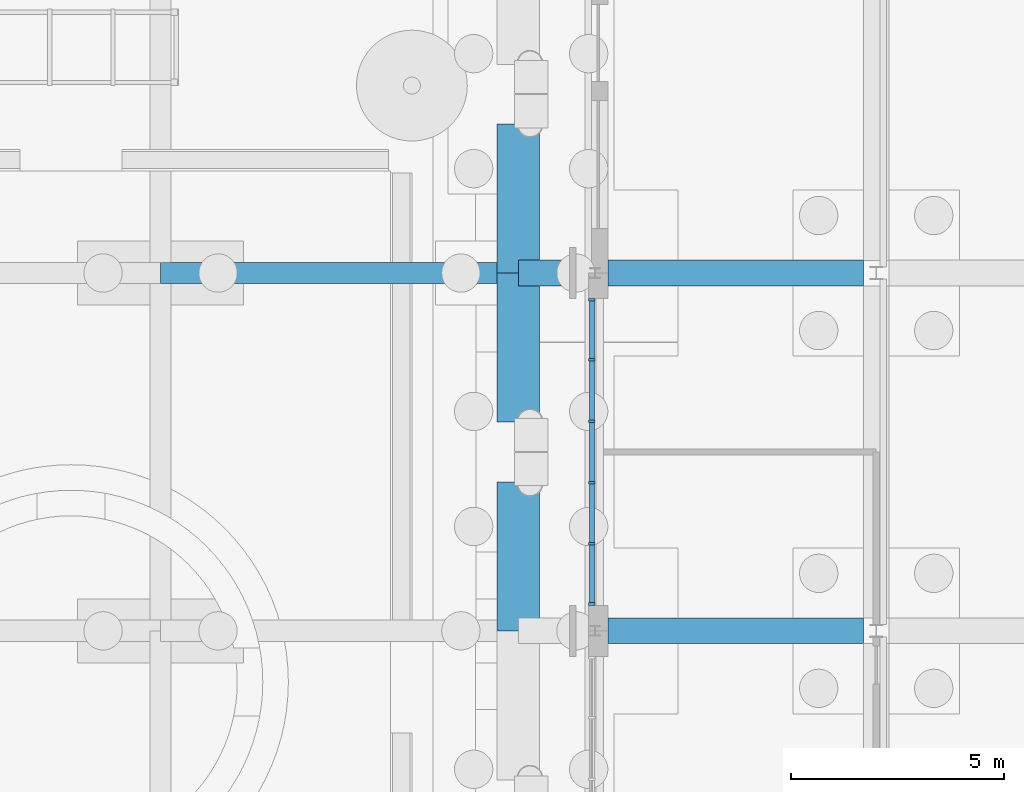
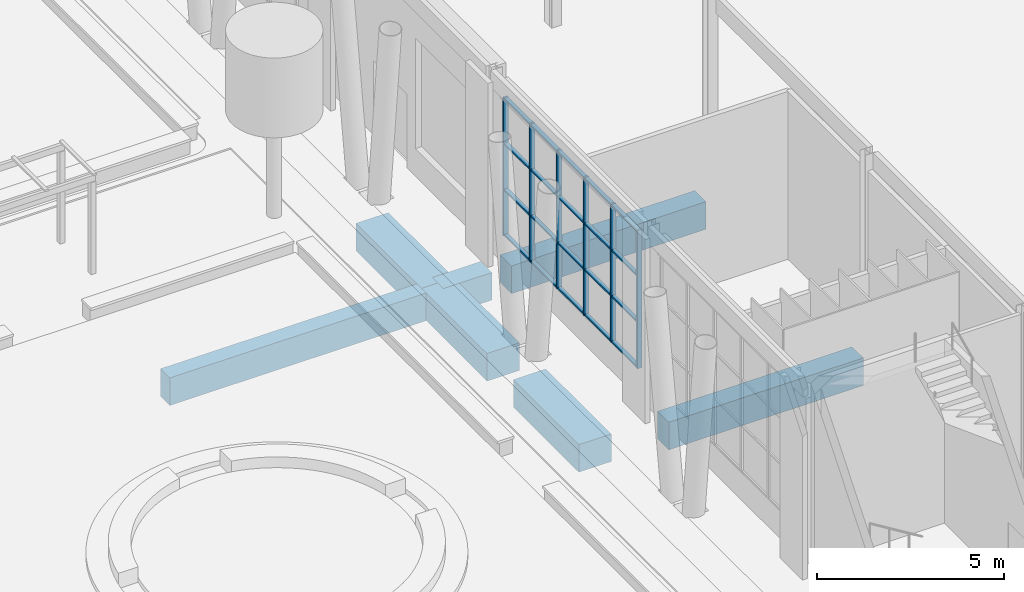
# One storey, part 45 of 222: 26 members, 7 beams, 1 element without a shape of its own.
"""IFC4 building model written with IfcOpenShell, lengths in metres."""

from ifc_helpers import new_model, si_unit, direction, frame, origin, origin_2d, place, context, subcontext, project, spatial, rectangle, extrude, material, material_profile, profile_set, type_object, element, aggregate, save


model = new_model("IFC4")

# Units and contexts
model_context = context("Model", 3, precision=1e-05, world=origin(), true_north=direction((0.0, 1.0)))
body_context = subcontext(model_context, "Body", "Model", "MODEL_VIEW")
ifc_project = project(units=[si_unit("LENGTHUNIT", "METRE"), si_unit("AREAUNIT", "SQUARE_METRE"), si_unit("VOLUMEUNIT", "CUBIC_METRE"), si_unit("PLANEANGLEUNIT", "RADIAN"), si_unit("MASSUNIT", "GRAM", prefix="KILO")], contexts=[model_context])

# Site, building, storey
site_placement = place(None, origin())
site = spatial("IfcSite", under=ifc_project, at=site_placement, CompositionType="ELEMENT")
building_placement = place(site_placement, origin())
building = spatial("IfcBuilding", under=site, at=building_placement, Name="Sava Quay Ferry Terminal", CompositionType="ELEMENT")
storey_placement = place(building_placement, origin())
storey = spatial("IfcBuildingStorey", under=building, at=storey_placement, Name="L00", CompositionType="ELEMENT", Elevation=0.0)

# Curtain wall, members
ifc_material_1 = material(Name="Aluminium and glass curtain wall, double low-e glazed", Category="aluminium")
curtain_wall_type = type_object("IfcCurtainWallType", Name="Curtain wall CW-F flank", PredefinedType="NOTDEFINED", material=ifc_material_1)
curtain_wall_placement = place(storey_placement, origin())
curtain_wall = element("IfcCurtainWall", 1, at=curtain_wall_placement, inside=storey, type_object=curtain_wall_type, Name="Curtain wall D-W L00 bay 3", PredefinedType="NOTDEFINED")
ifc_material_2 = material(Name="Aluminium EN AW-6063 T6", Category="aluminium")
ifc_material_profile_1 = material_profile(ifc_material_2, rectangle(XDim=0.14990234375, YDim=0.06005859375, at=origin_2d()), Name="Mullion 60x150 aluminium")
ifc_profile_set_1 = profile_set([ifc_material_profile_1], Name="Aluminium EN AW-6063 T6")
member_type_1 = type_object("IfcMemberType", Name="Mullion 60x150 aluminium", PredefinedType="MULLION", material=ifc_profile_set_1)
member_1_placement = place(storey_placement, frame((43.72509765625, 67.830078125, 0.89990234375), z_axis=(0.0, 0.0, 1.0), x_axis=(-1.0, 0.0, 0.0)))
member_1 = element("IfcMember", 2, at=member_1_placement, type_object=member_type_1, Name="CW103 mullion 1", PredefinedType="MULLION", context=body_context, shape_type="SweptSolid", body=[
    extrude(rectangle(XDim=0.14990234375, YDim=0.06005859375, at=origin_2d()), origin(), (0.0, 0.0, 1.0), 4.5),
])
member_2_placement = place(storey_placement, frame((43.72509765625, 69.239990234375, 0.89990234375), z_axis=(0.0, 0.0, 1.0), x_axis=(-1.0, 0.0, 0.0)))
member_2 = element("IfcMember", 3, at=member_2_placement, type_object=member_type_1, Name="CW103 mullion 2", PredefinedType="MULLION", context=body_context, shape_type="SweptSolid", body=[
    extrude(rectangle(XDim=0.14990234375, YDim=0.06005859375, at=origin_2d()), origin(), (0.0, 0.0, 1.0), 4.5),
])
member_3_placement = place(storey_placement, frame((43.72509765625, 70.679931640625, 0.89990234375), z_axis=(0.0, 0.0, 1.0), x_axis=(-1.0, 0.0, 0.0)))
member_3 = element("IfcMember", 4, at=member_3_placement, type_object=member_type_1, Name="CW103 mullion 3", PredefinedType="MULLION", context=body_context, shape_type="SweptSolid", body=[
    extrude(rectangle(XDim=0.14990234375, YDim=0.06005859375, at=origin_2d()), origin(), (0.0, 0.0, 1.0), 4.5),
])
member_4_placement = place(storey_placement, frame((43.72509765625, 72.1201171875, 0.89990234375), z_axis=(0.0, 0.0, 1.0), x_axis=(-1.0, 0.0, 0.0)))
member_4 = element("IfcMember", 5, at=member_4_placement, type_object=member_type_1, Name="CW103 mullion 4", PredefinedType="MULLION", context=body_context, shape_type="SweptSolid", body=[
    extrude(rectangle(XDim=0.14990234375, YDim=0.06005859375, at=origin_2d()), origin(), (0.0, 0.0, 1.0), 4.5),
])
member_5_placement = place(storey_placement, frame((43.72509765625, 73.56005859375, 0.89990234375), z_axis=(0.0, 0.0, 1.0), x_axis=(-1.0, 0.0, 0.0)))
member_5 = element("IfcMember", 6, at=member_5_placement, type_object=member_type_1, Name="CW103 mullion 5", PredefinedType="MULLION", context=body_context, shape_type="SweptSolid", body=[
    extrude(rectangle(XDim=0.14990234375, YDim=0.06005859375, at=origin_2d()), origin(), (0.0, 0.0, 1.0), 4.5),
])
member_6_placement = place(storey_placement, frame((43.72509765625, 74.969970703125, 0.89990234375), z_axis=(0.0, 0.0, 1.0), x_axis=(-1.0, 0.0, 0.0)))
member_6 = element("IfcMember", 7, at=member_6_placement, type_object=member_type_1, Name="CW103 mullion 6", PredefinedType="MULLION", context=body_context, shape_type="SweptSolid", body=[
    extrude(rectangle(XDim=0.14990234375, YDim=0.06005859375, at=origin_2d()), origin(), (0.0, 0.0, 1.0), 4.5),
])

# Beams
ifc_material_3 = material(Name="Concrete C40/50", Category="concrete")
ifc_material_profile_2 = material_profile(ifc_material_3, rectangle(XDim=1.0, YDim=0.89990234375, at=origin_2d()), Name="RC 1000x900")
ifc_profile_set_2 = profile_set([ifc_material_profile_2], Name="Concrete C40/50")
beam_type_1 = type_object("IfcBeamType", Name="RC deck beam 1000x900", PredefinedType="BEAM", material=ifc_profile_set_2)
for number, where, z_axis, x_axis, name in (
    (8, (42.0, 67.199951171875, -0.89990234375), (0.0, 1.0, 0.0), (-1.0, 0.0, 0.0), "Deck beam Y42-67.2"),
    (9, (42.0, 72.10009765625, -0.89990234375), (0.0, 1.0, 0.0), (-1.0, 0.0, 0.0), "Deck beam Y42-67.2"),
    (10, (42.0, 75.60009765625, -0.89990234375), (0.0, 1.0, 0.0), (-1.0, 0.0, 0.0), "Deck beam Y42-75.6"),
):
    element("IfcBeam", number, at=place(storey_placement, frame(where, z_axis=z_axis, x_axis=x_axis)), inside=storey, type_object=beam_type_1, Name=name, PredefinedType="BEAM", context=body_context, shape_type="SweptSolid", body=[
        extrude(rectangle(XDim=1.0, YDim=0.89990234375, at=origin_2d()), origin(), (0.0, 0.0, 1.0), 3.5),
    ])
ifc_material_4 = material(Name="Concrete C40/50", Category="concrete")
ifc_material_profile_3 = material_profile(ifc_material_4, rectangle(XDim=0.5, YDim=0.89990234375, at=origin_2d()), Name="RC 500x900")
ifc_profile_set_3 = profile_set([ifc_material_profile_3], Name="Concrete C40/50")
beam_type_2 = type_object("IfcBeamType", Name="RC deck beam 500x900", PredefinedType="BEAM", material=ifc_profile_set_3)
beam_1_placement = place(storey_placement, frame((33.60009765625, 75.60009765625, -0.89990234375), z_axis=(1.0, 0.0, 0.0), x_axis=(0.0, 1.0, 0.0)))
element("IfcBeam", 11, at=beam_1_placement, inside=storey, type_object=beam_type_2, Name="Deck beam X75.6-33.6", PredefinedType="BEAM", context=body_context, shape_type="SweptSolid", body=[
    extrude(rectangle(XDim=0.5, YDim=0.89990234375, at=origin_2d()), origin(), (0.0, 0.0, 1.0), 8.39990234375),
])
ifc_material_5 = material(Name="Concrete C40/50", Category="concrete")
ifc_material_profile_4 = material_profile(ifc_material_5, rectangle(XDim=0.60009765625, YDim=0.89990234375, at=origin_2d()), Name="RC 600x900")
ifc_profile_set_4 = profile_set([ifc_material_profile_4], Name="Concrete C40/50")
beam_type_3 = type_object("IfcBeamType", Name="RC deck beam 600x900", PredefinedType="BEAM", material=ifc_profile_set_4)
beam_2_placement = place(storey_placement, frame((44.10009765625, 67.199951171875, -0.89990234375), z_axis=(1.0, 0.0, 0.0), x_axis=(0.0, 1.0, 0.0)))
element("IfcBeam", 12, at=beam_2_placement, inside=storey, type_object=beam_type_3, Name="Deck beam X67.2-42", PredefinedType="BEAM", context=body_context, shape_type="SweptSolid", body=[
    extrude(rectangle(XDim=0.60009765625, YDim=0.89990234375, at=origin_2d()), origin(), (0.0, 0.0, 1.0), 6.0),
])
beam_3_placement = place(storey_placement, frame((42.0, 75.60009765625, -0.89990234375), z_axis=(1.0, 0.0, 0.0), x_axis=(0.0, 1.0, 0.0)))
element("IfcBeam", 13, at=beam_3_placement, inside=storey, type_object=beam_type_3, Name="Deck beam X75.6-42", PredefinedType="BEAM", context=body_context, shape_type="SweptSolid", body=[
    extrude(rectangle(XDim=0.60009765625, YDim=0.89990234375, at=origin_2d()), origin(), (0.0, 0.0, 1.0), 1.5),
])
beam_4_placement = place(storey_placement, frame((44.10009765625, 75.60009765625, -0.89990234375), z_axis=(1.0, 0.0, 0.0), x_axis=(0.0, 1.0, 0.0)))
element("IfcBeam", 14, at=beam_4_placement, inside=storey, type_object=beam_type_3, Name="Deck beam X75.6-42", PredefinedType="BEAM", context=body_context, shape_type="SweptSolid", body=[
    extrude(rectangle(XDim=0.60009765625, YDim=0.89990234375, at=origin_2d()), origin(), (0.0, 0.0, 1.0), 6.0),
])

# Member
ifc_material_6 = material(Name="Aluminium EN AW-6063 T6", Category="aluminium")
ifc_material_profile_5 = material_profile(ifc_material_6, rectangle(XDim=0.1201171875, YDim=0.050048828125, at=origin_2d()), Name="Transom 50x120 aluminium")
ifc_profile_set_5 = profile_set([ifc_material_profile_5], Name="Aluminium EN AW-6063 T6")
member_type_2 = type_object("IfcMemberType", Name="Transom 50x120 aluminium", PredefinedType="USERDEFINED", material=ifc_profile_set_5)
member_7_placement = place(storey_placement, frame((43.72509765625, 67.860107421875, 0.925048828125), z_axis=(0.0, 1.0, 0.0), x_axis=(-1.0, 0.0, 0.0)))
member_7 = element("IfcMember", 15, at=member_7_placement, type_object=member_type_2, Name="CW103 transom 1.1", ObjectType="TRANSOM", PredefinedType="USERDEFINED", context=body_context, shape_type="SweptSolid", body=[
    extrude(rectangle(XDim=0.1201171875, YDim=0.050048828125, at=origin_2d()), origin(), (0.0, 0.0, 1.0), 1.349853515625),
])

member_8_placement = place(storey_placement, frame((43.72509765625, 67.860107421875, 2.39990234375), z_axis=(0.0, 1.0, 0.0), x_axis=(-1.0, 0.0, 0.0)))
member_8 = element("IfcMember", 16, at=member_8_placement, type_object=member_type_2, Name="CW103 transom 1.2", ObjectType="TRANSOM", PredefinedType="USERDEFINED", context=body_context, shape_type="SweptSolid", body=[
    extrude(rectangle(XDim=0.1201171875, YDim=0.050048828125, at=origin_2d()), origin(), (0.0, 0.0, 1.0), 1.349853515625),
])

member_9_placement = place(storey_placement, frame((43.72509765625, 67.860107421875, 3.89990234375), z_axis=(0.0, 1.0, 0.0), x_axis=(-1.0, 0.0, 0.0)))
member_9 = element("IfcMember", 17, at=member_9_placement, type_object=member_type_2, Name="CW103 transom 1.3", ObjectType="TRANSOM", PredefinedType="USERDEFINED", context=body_context, shape_type="SweptSolid", body=[
    extrude(rectangle(XDim=0.1201171875, YDim=0.050048828125, at=origin_2d()), origin(), (0.0, 0.0, 1.0), 1.349853515625),
])

member_10_placement = place(storey_placement, frame((43.72509765625, 67.860107421875, 5.375), z_axis=(0.0, 1.0, 0.0), x_axis=(-1.0, 0.0, 0.0)))
member_10 = element("IfcMember", 18, at=member_10_placement, type_object=member_type_2, Name="CW103 transom 1.4", ObjectType="TRANSOM", PredefinedType="USERDEFINED", context=body_context, shape_type="SweptSolid", body=[
    extrude(rectangle(XDim=0.1201171875, YDim=0.050048828125, at=origin_2d()), origin(), (0.0, 0.0, 1.0), 1.349853515625),
])

member_11_placement = place(storey_placement, frame((43.72509765625, 69.27001953125, 0.925048828125), z_axis=(0.0, 1.0, 0.0), x_axis=(-1.0, 0.0, 0.0)))
member_11 = element("IfcMember", 19, at=member_11_placement, type_object=member_type_2, Name="CW103 transom 2.1", ObjectType="TRANSOM", PredefinedType="USERDEFINED", context=body_context, shape_type="SweptSolid", body=[
    extrude(rectangle(XDim=0.1201171875, YDim=0.050048828125, at=origin_2d()), origin(), (0.0, 0.0, 1.0), 1.3798828125),
])

member_12_placement = place(storey_placement, frame((43.72509765625, 69.27001953125, 2.39990234375), z_axis=(0.0, 1.0, 0.0), x_axis=(-1.0, 0.0, 0.0)))
member_12 = element("IfcMember", 20, at=member_12_placement, type_object=member_type_2, Name="CW103 transom 2.2", ObjectType="TRANSOM", PredefinedType="USERDEFINED", context=body_context, shape_type="SweptSolid", body=[
    extrude(rectangle(XDim=0.1201171875, YDim=0.050048828125, at=origin_2d()), origin(), (0.0, 0.0, 1.0), 1.3798828125),
])

member_13_placement = place(storey_placement, frame((43.72509765625, 69.27001953125, 3.89990234375), z_axis=(0.0, 1.0, 0.0), x_axis=(-1.0, 0.0, 0.0)))
member_13 = element("IfcMember", 21, at=member_13_placement, type_object=member_type_2, Name="CW103 transom 2.3", ObjectType="TRANSOM", PredefinedType="USERDEFINED", context=body_context, shape_type="SweptSolid", body=[
    extrude(rectangle(XDim=0.1201171875, YDim=0.050048828125, at=origin_2d()), origin(), (0.0, 0.0, 1.0), 1.3798828125),
])

member_14_placement = place(storey_placement, frame((43.72509765625, 69.27001953125, 5.375), z_axis=(0.0, 1.0, 0.0), x_axis=(-1.0, 0.0, 0.0)))
member_14 = element("IfcMember", 22, at=member_14_placement, type_object=member_type_2, Name="CW103 transom 2.4", ObjectType="TRANSOM", PredefinedType="USERDEFINED", context=body_context, shape_type="SweptSolid", body=[
    extrude(rectangle(XDim=0.1201171875, YDim=0.050048828125, at=origin_2d()), origin(), (0.0, 0.0, 1.0), 1.3798828125),
])

member_15_placement = place(storey_placement, frame((43.72509765625, 70.7099609375, 0.925048828125), z_axis=(0.0, 1.0, 0.0), x_axis=(-1.0, 0.0, 0.0)))
member_15 = element("IfcMember", 23, at=member_15_placement, type_object=member_type_2, Name="CW103 transom 3.1", ObjectType="TRANSOM", PredefinedType="USERDEFINED", context=body_context, shape_type="SweptSolid", body=[
    extrude(rectangle(XDim=0.1201171875, YDim=0.050048828125, at=origin_2d()), origin(), (0.0, 0.0, 1.0), 1.380126953125),
])

member_16_placement = place(storey_placement, frame((43.72509765625, 70.7099609375, 2.39990234375), z_axis=(0.0, 1.0, 0.0), x_axis=(-1.0, 0.0, 0.0)))
member_16 = element("IfcMember", 24, at=member_16_placement, type_object=member_type_2, Name="CW103 transom 3.2", ObjectType="TRANSOM", PredefinedType="USERDEFINED", context=body_context, shape_type="SweptSolid", body=[
    extrude(rectangle(XDim=0.1201171875, YDim=0.050048828125, at=origin_2d()), origin(), (0.0, 0.0, 1.0), 1.380126953125),
])

member_17_placement = place(storey_placement, frame((43.72509765625, 70.7099609375, 3.89990234375), z_axis=(0.0, 1.0, 0.0), x_axis=(-1.0, 0.0, 0.0)))
member_17 = element("IfcMember", 25, at=member_17_placement, type_object=member_type_2, Name="CW103 transom 3.3", ObjectType="TRANSOM", PredefinedType="USERDEFINED", context=body_context, shape_type="SweptSolid", body=[
    extrude(rectangle(XDim=0.1201171875, YDim=0.050048828125, at=origin_2d()), origin(), (0.0, 0.0, 1.0), 1.380126953125),
])

member_18_placement = place(storey_placement, frame((43.72509765625, 70.7099609375, 5.375), z_axis=(0.0, 1.0, 0.0), x_axis=(-1.0, 0.0, 0.0)))
member_18 = element("IfcMember", 26, at=member_18_placement, type_object=member_type_2, Name="CW103 transom 3.4", ObjectType="TRANSOM", PredefinedType="USERDEFINED", context=body_context, shape_type="SweptSolid", body=[
    extrude(rectangle(XDim=0.1201171875, YDim=0.050048828125, at=origin_2d()), origin(), (0.0, 0.0, 1.0), 1.380126953125),
])

member_19_placement = place(storey_placement, frame((43.72509765625, 72.14990234375, 0.925048828125), z_axis=(0.0, 1.0, 0.0), x_axis=(-1.0, 0.0, 0.0)))
member_19 = element("IfcMember", 27, at=member_19_placement, type_object=member_type_2, Name="CW103 transom 4.1", ObjectType="TRANSOM", PredefinedType="USERDEFINED", context=body_context, shape_type="SweptSolid", body=[
    extrude(rectangle(XDim=0.1201171875, YDim=0.050048828125, at=origin_2d()), origin(), (0.0, 0.0, 1.0), 1.380126953125),
])

member_20_placement = place(storey_placement, frame((43.72509765625, 72.14990234375, 2.39990234375), z_axis=(0.0, 1.0, 0.0), x_axis=(-1.0, 0.0, 0.0)))
member_20 = element("IfcMember", 28, at=member_20_placement, type_object=member_type_2, Name="CW103 transom 4.2", ObjectType="TRANSOM", PredefinedType="USERDEFINED", context=body_context, shape_type="SweptSolid", body=[
    extrude(rectangle(XDim=0.1201171875, YDim=0.050048828125, at=origin_2d()), origin(), (0.0, 0.0, 1.0), 1.380126953125),
])

member_21_placement = place(storey_placement, frame((43.72509765625, 72.14990234375, 3.89990234375), z_axis=(0.0, 1.0, 0.0), x_axis=(-1.0, 0.0, 0.0)))
member_21 = element("IfcMember", 29, at=member_21_placement, type_object=member_type_2, Name="CW103 transom 4.3", ObjectType="TRANSOM", PredefinedType="USERDEFINED", context=body_context, shape_type="SweptSolid", body=[
    extrude(rectangle(XDim=0.1201171875, YDim=0.050048828125, at=origin_2d()), origin(), (0.0, 0.0, 1.0), 1.380126953125),
])

member_22_placement = place(storey_placement, frame((43.72509765625, 72.14990234375, 5.375), z_axis=(0.0, 1.0, 0.0), x_axis=(-1.0, 0.0, 0.0)))
member_22 = element("IfcMember", 30, at=member_22_placement, type_object=member_type_2, Name="CW103 transom 4.4", ObjectType="TRANSOM", PredefinedType="USERDEFINED", context=body_context, shape_type="SweptSolid", body=[
    extrude(rectangle(XDim=0.1201171875, YDim=0.050048828125, at=origin_2d()), origin(), (0.0, 0.0, 1.0), 1.380126953125),
])

member_23_placement = place(storey_placement, frame((43.72509765625, 73.590087890625, 0.925048828125), z_axis=(0.0, 1.0, 0.0), x_axis=(-1.0, 0.0, 0.0)))
member_23 = element("IfcMember", 31, at=member_23_placement, type_object=member_type_2, Name="CW103 transom 5.1", ObjectType="TRANSOM", PredefinedType="USERDEFINED", context=body_context, shape_type="SweptSolid", body=[
    extrude(rectangle(XDim=0.1201171875, YDim=0.050048828125, at=origin_2d()), origin(), (0.0, 0.0, 1.0), 1.349853515625),
])

member_24_placement = place(storey_placement, frame((43.72509765625, 73.590087890625, 2.39990234375), z_axis=(0.0, 1.0, 0.0), x_axis=(-1.0, 0.0, 0.0)))
member_24 = element("IfcMember", 32, at=member_24_placement, type_object=member_type_2, Name="CW103 transom 5.2", ObjectType="TRANSOM", PredefinedType="USERDEFINED", context=body_context, shape_type="SweptSolid", body=[
    extrude(rectangle(XDim=0.1201171875, YDim=0.050048828125, at=origin_2d()), origin(), (0.0, 0.0, 1.0), 1.349853515625),
])

member_25_placement = place(storey_placement, frame((43.72509765625, 73.590087890625, 3.89990234375), z_axis=(0.0, 1.0, 0.0), x_axis=(-1.0, 0.0, 0.0)))
member_25 = element("IfcMember", 33, at=member_25_placement, type_object=member_type_2, Name="CW103 transom 5.3", ObjectType="TRANSOM", PredefinedType="USERDEFINED", context=body_context, shape_type="SweptSolid", body=[
    extrude(rectangle(XDim=0.1201171875, YDim=0.050048828125, at=origin_2d()), origin(), (0.0, 0.0, 1.0), 1.349853515625),
])

member_26_placement = place(storey_placement, frame((43.72509765625, 73.590087890625, 5.375), z_axis=(0.0, 1.0, 0.0), x_axis=(-1.0, 0.0, 0.0)))
member_26 = element("IfcMember", 34, at=member_26_placement, type_object=member_type_2, Name="CW103 transom 5.4", ObjectType="TRANSOM", PredefinedType="USERDEFINED", context=body_context, shape_type="SweptSolid", body=[
    extrude(rectangle(XDim=0.1201171875, YDim=0.050048828125, at=origin_2d()), origin(), (0.0, 0.0, 1.0), 1.349853515625),
])

aggregate(curtain_wall, [member_1, member_2, member_3, member_4, member_5, member_6, member_7, member_8, member_9, member_10, member_11, member_12, member_13, member_14, member_15, member_16, member_17, member_18, member_19, member_20, member_21, member_22, member_23, member_24, member_25, member_26])

save(model, "model.ifc")
